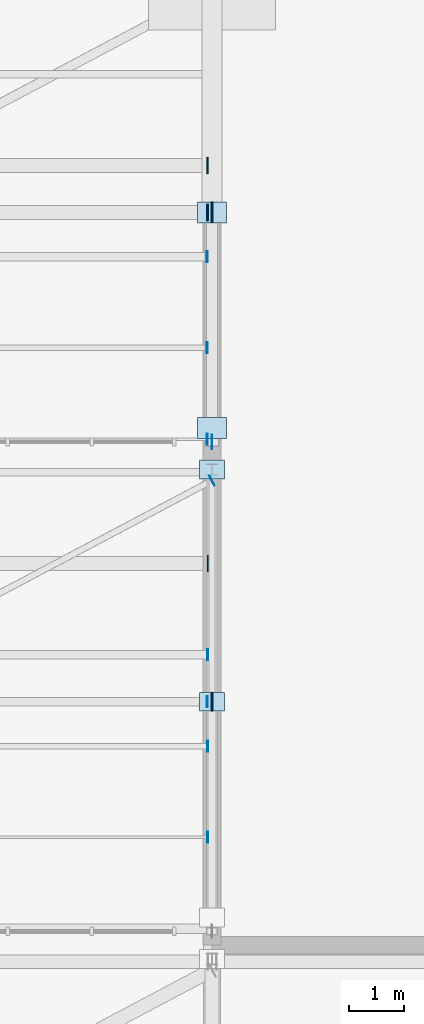
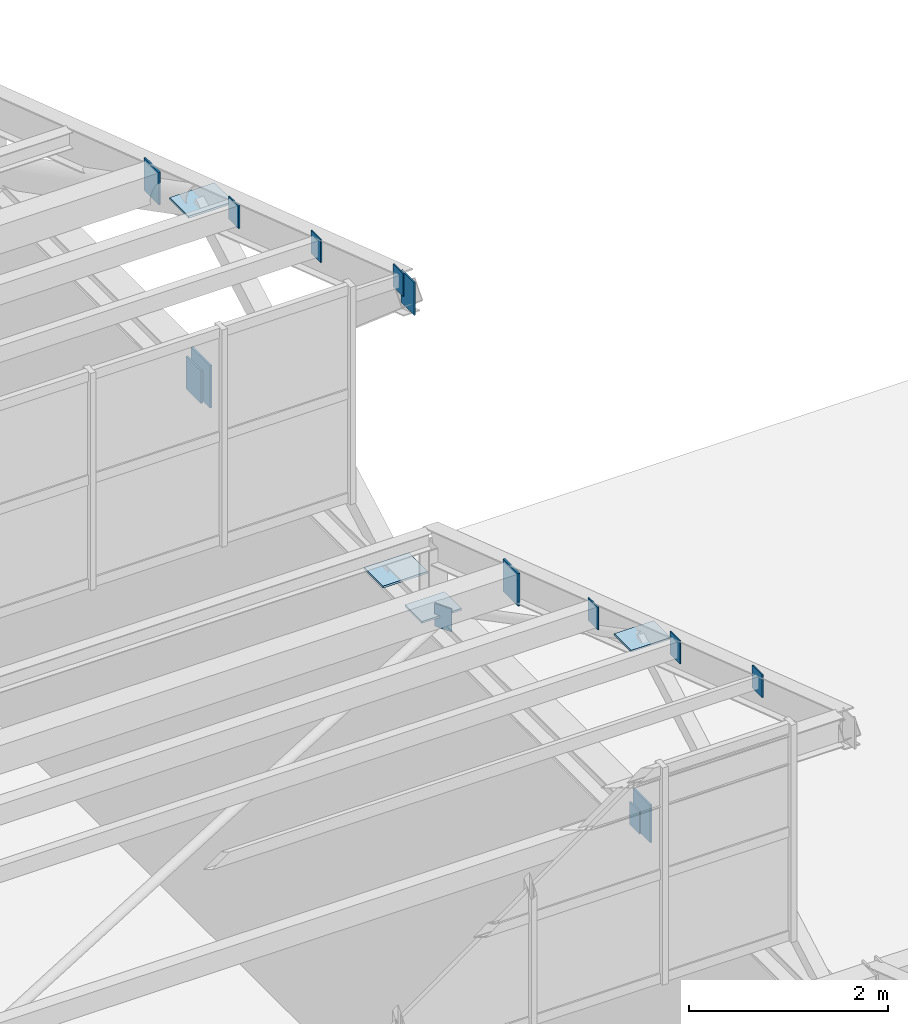
# One storey, part 240 of 285: 18 plates.
"""IFC4 building model written with IfcOpenShell, lengths in metres."""

from ifc_helpers import new_model, si_unit, direction, frame, origin, origin_2d, place, context, subcontext, project, spatial, rectangle, extrude, material, layer, layer_set, type_object, element, save


model = new_model("IFC4")

# Units and contexts
model_context = context("Model", 3, precision=1e-05, world=origin(), true_north=direction((0.0, 1.0)))
body_context = subcontext(model_context, "Body", "Model", "MODEL_VIEW")
ifc_project = project(units=[si_unit("LENGTHUNIT", "METRE"), si_unit("AREAUNIT", "SQUARE_METRE"), si_unit("VOLUMEUNIT", "CUBIC_METRE"), si_unit("PLANEANGLEUNIT", "RADIAN"), si_unit("MASSUNIT", "GRAM", prefix="KILO")], contexts=[model_context])

# Site, building, storey
site_placement = place(None, origin())
site = spatial("IfcSite", under=ifc_project, at=site_placement, CompositionType="ELEMENT")
building_placement = place(site_placement, origin())
building = spatial("IfcBuilding", under=site, at=building_placement, Name="Solanera Park Tramway Depot", CompositionType="ELEMENT")
storey_placement = place(building_placement, origin())
storey = spatial("IfcBuildingStorey", under=building, at=storey_placement, Name="L00", CompositionType="ELEMENT", Elevation=0.0)

# Plates
ifc_material_1 = material(Name="Steel AS/NZS 3679.1 Grade 350", Category="steel")
ifc_layer_1 = layer(ifc_material_1, 0.013916015625)
ifc_layer_set_1 = layer_set([ifc_layer_1], Name="Steel AS/NZS 3679.1 Grade 350")
plate_type_1 = type_object("IfcPlateType", Name="Hollow End Cap and Base Plate 280x200x14", PredefinedType="USERDEFINED", material=ifc_layer_set_1)
for number, where, z_axis, x_axis, name in (
    (1, (59.922119140625, 128.25, 9.5146484375), (0.0, 0.0, 1.0), (1.0, 0.0, 0.0), "Hollow Section Welded End Cap Plate #0949"),
    (2, (59.922119140625, 129.89990234375, 8.92919921875), (0.0, 0.0, 1.0), (1.0, 0.0, 0.0), "Hollow Section Welded End Cap Plate #0961"),
    (3, (59.922119140625, 131.550048828125, 8.34375), (0.0, 0.0, 1.0), (1.0, 0.0, 0.0), "Hollow Section Welded End Cap Plate #0973"),
    (4, (59.9150390625, 130.699951171875, 6.35986328125), (0.0, 0.0, 1.0), (1.0, 0.0, 0.0), "Hollow Section Welded End Cap Plate #0995"),
    (5, (60.000732421875, 134.701416015625, 6.35986328125), (0.0, 0.0, 1.0), (0.883520501477, 0.468392488698, 0.0), "Hollow Section Welded End Cap Plate #0997"),
    (6, (59.915771484375, 135.449951171875, 10.06689453125), (0.0, 0.0, 1.0), (1.0, 0.0, 0.0), "Hollow Section Welded End Cap Plate #1047"),
    (7, (59.915771484375, 137.10009765625, 9.4814453125), (0.0, 0.0, 1.0), (1.0, 0.0, 0.0), "Hollow Section Welded End Cap Plate #1059"),
    (8, (59.915771484375, 138.75, 8.89599609375), (0.0, 0.0, 1.0), (1.0, 0.0, 0.0), "Hollow Section Welded End Cap Plate #1071"),
):
    element("IfcPlate", number, at=place(storey_placement, frame(where, z_axis=z_axis, x_axis=x_axis)), inside=storey, type_object=plate_type_1, Name=name, ObjectType="BASE PLATE", PredefinedType="USERDEFINED", context=body_context, shape_type="SweptSolid", body=[
        extrude(rectangle(XDim=0.013916015625, YDim=0.199951171875, at=origin_2d()), origin(), (0.0, 0.0, 1.0), 0.280029296875),
    ])
ifc_material_2 = material(Name="Steel AS/NZS 3679.1 Grade 350", Category="steel")
ifc_layer_2 = layer(ifc_material_2, 0.02001953125)
ifc_layer_set_2 = layer_set([ifc_layer_2], Name="Steel AS/NZS 3679.1 Grade 350")
plate_type_2 = type_object("IfcPlateType", Name="Hollow End Cap and Base Plate 400x300x20", PredefinedType="USERDEFINED", material=ifc_layer_set_2)
for number, where, z_axis, x_axis, name in (
    (9, (59.925048828125, 133.199951171875, 7.6650390625), (0.0, 0.0, 1.0), (1.0, 0.0, 0.0), "Hollow Section Welded End Cap Plate #0985"),
    (10, (59.918701171875, 140.39990234375, 8.217041015625), (0.0, 0.0, 1.0), (1.0, 0.0, 0.0), "Hollow Section Welded End Cap Plate #1083"),
    (11, (59.91796875, 139.550048828125, 6.300048828125), (0.0, 0.0, 1.0), (1.0, 0.0, 0.0), "Hollow Section Welded End Cap Plate #1095"),
):
    element("IfcPlate", number, at=place(storey_placement, frame(where, z_axis=z_axis, x_axis=x_axis)), inside=storey, type_object=plate_type_2, Name=name, ObjectType="BASE PLATE", PredefinedType="USERDEFINED", context=body_context, shape_type="SweptSolid", body=[
        extrude(rectangle(XDim=0.02001953125, YDim=0.300048828125, at=origin_2d()), origin(), (0.0, 0.0, 1.0), 0.39990234375),
    ])
ifc_material_3 = material(Name="Steel AS/NZS 3679.1 Grade 350", Category="steel")
ifc_layer_3 = layer(ifc_material_3, 0.02197265625)
ifc_layer_set_3 = layer_set([ifc_layer_3], Name="Steel AS/NZS 3679.1 Grade 350")
plate_type_3 = type_object("IfcPlateType", Name="Hollow End Cap and Base Plate 460x340x22", PredefinedType="USERDEFINED", material=ifc_layer_set_3)
plate_1_placement = place(storey_placement, frame((60.0, 130.699951171875, 6.27001953125), z_axis=(0.0, 0.0, 1.0), x_axis=(1.0, 0.0, 0.0)))
element("IfcPlate", 12, at=plate_1_placement, inside=storey, type_object=plate_type_3, Name="Sawtooth Truss Hollow End Cap #0920", ObjectType="BASE PLATE", PredefinedType="USERDEFINED", context=body_context, shape_type="SweptSolid", body=[
    extrude(rectangle(XDim=0.02197265625, YDim=0.340087890625, at=origin_2d()), origin(), (0.0, 0.0, 1.0), 0.4599609375),
])
for number, where, z_axis, x_axis, name in (
    (13, (60.0, 134.89990234375, 6.489013671875), (0.0, 0.0, 1.0), (1.0, 0.0, 0.0), "Sawtooth Truss Node Cap Plate #0921"),
    (14, (60.0, 130.699951171875, 8.68212890625), (0.0, 0.0, 1.0), (1.0, 0.0, 0.0), "Sawtooth Truss Node Cap Plate #0922"),
):
    element("IfcPlate", number, at=place(storey_placement, frame(where, z_axis=z_axis, x_axis=x_axis)), inside=storey, type_object=plate_type_3, Name=name, ObjectType="BASE PLATE", PredefinedType="USERDEFINED", context=body_context, shape_type="SweptSolid", body=[
        extrude(rectangle(XDim=0.4599609375, YDim=0.340087890625, at=origin_2d()), origin(), (0.0, 0.0, 1.0), 0.02197265625),
    ])
ifc_material_4 = material(Name="Steel AS/NZS 3679.1 Grade 350", Category="steel")
ifc_layer_4 = layer(ifc_material_4, 0.02490234375)
ifc_layer_set_4 = layer_set([ifc_layer_4], Name="Steel AS/NZS 3679.1 Grade 350")
plate_type_4 = type_object("IfcPlateType", Name="Hollow End Cap and Base Plate 520x380x25", PredefinedType="USERDEFINED", material=ifc_layer_set_4)
plate_2_placement = place(storey_placement, frame((60.0, 139.550048828125, 6.239990234375), z_axis=(0.0, 0.0, 1.0), x_axis=(1.0, 0.0, 0.0)))
element("IfcPlate", 15, at=plate_2_placement, inside=storey, type_object=plate_type_4, Name="Sawtooth Truss Hollow End Cap #1018", ObjectType="BASE PLATE", PredefinedType="USERDEFINED", context=body_context, shape_type="SweptSolid", body=[
    extrude(rectangle(XDim=0.02490234375, YDim=0.3798828125, at=origin_2d()), origin(), (0.0, 0.0, 1.0), 0.52001953125),
])
for number, where, z_axis, x_axis, name in (
    (16, (60.0, 139.550048828125, 8.655029296875), (0.0, 0.0, 1.0), (1.0, 0.0, 0.0), "Sawtooth Truss Node Cap Plate #1020"),
    (17, (60.0, 135.64990234375, 6.487548828125), (0.0, 0.0, 1.0), (1.0, 0.0, 0.0), "Sawtooth Truss Node Cap Plate #1021"),
):
    element("IfcPlate", number, at=place(storey_placement, frame(where, z_axis=z_axis, x_axis=x_axis)), inside=storey, type_object=plate_type_4, Name=name, ObjectType="BASE PLATE", PredefinedType="USERDEFINED", context=body_context, shape_type="SweptSolid", body=[
        extrude(rectangle(XDim=0.52001953125, YDim=0.3798828125, at=origin_2d()), origin(), (0.0, 0.0, 1.0), 0.02490234375),
    ])
ifc_material_5 = material(Name="Steel AS/NZS 3679.1 Grade 350", Category="steel")
ifc_layer_5 = layer(ifc_material_5, 0.01611328125)
ifc_layer_set_5 = layer_set([ifc_layer_5], Name="Steel AS/NZS 3679.1 Grade 350")
plate_type_5 = type_object("IfcPlateType", Name="Truss Node Gusset Stiffener 400x260x16", PredefinedType="SHEET", material=ifc_layer_set_5)
plate_3_placement = place(storey_placement, frame((60.0, 135.39990234375, 9.856201171875), z_axis=(0.0, 0.0, 1.0), x_axis=(1.0, 0.0, 0.0)))
element("IfcPlate", 18, at=plate_3_placement, inside=storey, type_object=plate_type_5, Name="Sawtooth Truss Apex Gusset Plate #1017", PredefinedType="SHEET", context=body_context, shape_type="SweptSolid", body=[
    extrude(rectangle(XDim=0.01611328125, YDim=0.260009765625, at=origin_2d()), origin(), (0.0, 0.0, 1.0), 0.39990234375),
])

save(model, "model.ifc")
